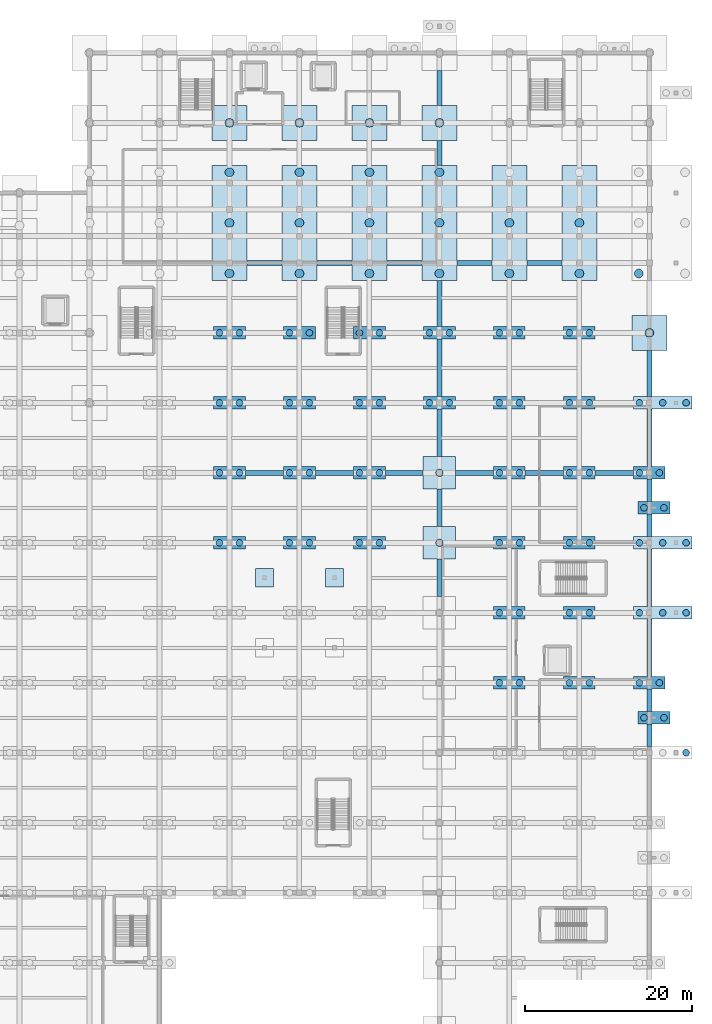
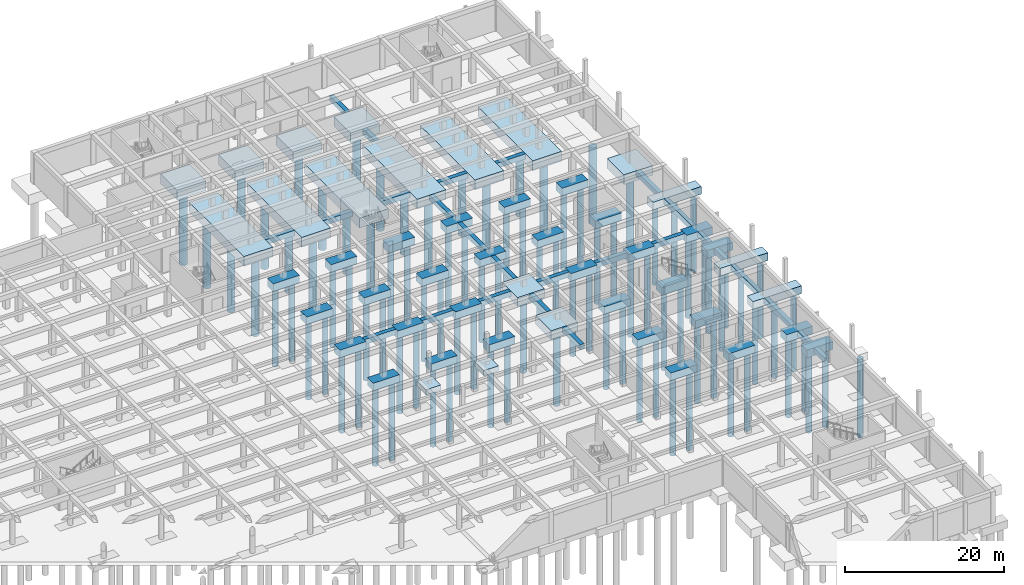
# One storey, part 6 of 51: 94 piles, 74 footings.
"""IFC4 building model written with IfcOpenShell, lengths in metres."""

from ifc_helpers import new_model, si_unit, direction, frame, origin, origin_2d, place, context, subcontext, project, spatial, rectangle, circle, extrude, material, material_profile, profile_set, type_object, element, save


model = new_model("IFC4")

# Units and contexts
model_context = context("Model", 3, precision=1e-05, world=origin(), true_north=direction((0.0, 1.0)))
body_context = subcontext(model_context, "Body", "Model", "MODEL_VIEW")
ifc_project = project(units=[si_unit("LENGTHUNIT", "METRE"), si_unit("AREAUNIT", "SQUARE_METRE"), si_unit("VOLUMEUNIT", "CUBIC_METRE"), si_unit("PLANEANGLEUNIT", "RADIAN"), si_unit("MASSUNIT", "GRAM", prefix="KILO")], contexts=[model_context])

# Site, building, storey
site_placement = place(None, origin())
site = spatial("IfcSite", under=ifc_project, at=site_placement, CompositionType="ELEMENT")
building_placement = place(site_placement, origin())
building = spatial("IfcBuilding", under=site, at=building_placement, Name="Varncliffe General Hospital", CompositionType="ELEMENT")
storey_placement = place(building_placement, frame((0.0, 0.0, -4.800048828125)))
storey = spatial("IfcBuildingStorey", under=building, at=storey_placement, Name="B1", CompositionType="ELEMENT", Elevation=-4.800048828125)

# Piles
ifc_material = material(Name="Concrete C40/50 (CSA A23.1 40 MPa)", Category="concrete")
ifc_material_profile_1 = material_profile(ifc_material, circle(Radius=0.39990234375, at=origin_2d()), Name="BORED PILE 800")
ifc_profile_set_1 = profile_set([ifc_material_profile_1], Name="Concrete C40/50 (CSA A23.1 40 MPa)")
pile_type_1 = type_object("IfcPileType", Name="Bored Caisson Pile P13 (BORED PILE 800)", PredefinedType="BORED", material=ifc_profile_set_1)
for number, where, z_axis, x_axis, name in (
    (1, (180.800048828125, 40.800048828125, -1.050048828125), (0.0, 0.0, -1.0), (1.0, 0.0, 0.0), "B1 Bored Pile P13 (PC-B1-130-3)"),
    (2, (175.75, 45.0, -1.050048828125), (0.0, 0.0, -1.0), (1.0, 0.0, 0.0), "B1 Bored Pile P13 (PC-B1-132-1)"),
    (3, (178.14990234375, 45.0, -1.050048828125), (0.0, 0.0, -1.0), (1.0, 0.0, 0.0), "B1 Bored Pile P13 (PC-B1-132-2)"),
    (4, (158.39990234375, 49.199951171875, -1.050048828125), (0.0, 0.0, -1.0), (1.0, 0.0, 0.0), "B1 Bored Pile P13 (PC-B1-152-1)"),
    (5, (160.800048828125, 49.199951171875, -1.050048828125), (0.0, 0.0, -1.0), (1.0, 0.0, 0.0), "B1 Bored Pile P13 (PC-B1-152-2)"),
    (6, (166.800048828125, 49.199951171875, -1.050048828125), (0.0, 0.0, -1.0), (1.0, 0.0, 0.0), "B1 Bored Pile P13 (PC-B1-153-1)"),
    (7, (169.199951171875, 49.199951171875, -1.050048828125), (0.0, 0.0, -1.0), (1.0, 0.0, 0.0), "B1 Bored Pile P13 (PC-B1-153-2)"),
    (8, (175.199951171875, 49.199951171875, -1.050048828125), (0.0, 0.0, -1.0), (1.0, 0.0, 0.0), "B1 Bored Pile P13 (PC-B1-154-1)"),
    (9, (177.60009765625, 49.199951171875, -1.050048828125), (0.0, 0.0, -1.0), (1.0, 0.0, 0.0), "B1 Bored Pile P13 (PC-B1-154-2)"),
    (10, (158.39990234375, 57.60009765625, -1.050048828125), (0.0, 0.0, -1.0), (1.0, 0.0, 0.0), "B1 Bored Pile P13 (PC-B1-174-1)"),
    (11, (160.800048828125, 57.60009765625, -1.050048828125), (0.0, 0.0, -1.0), (1.0, 0.0, 0.0), "B1 Bored Pile P13 (PC-B1-174-2)"),
    (12, (166.800048828125, 57.60009765625, -1.050048828125), (0.0, 0.0, -1.0), (1.0, 0.0, 0.0), "B1 Bored Pile P13 (PC-B1-175-1)"),
    (13, (169.199951171875, 57.60009765625, -1.050048828125), (0.0, 0.0, -1.0), (1.0, 0.0, 0.0), "B1 Bored Pile P13 (PC-B1-175-2)"),
    (14, (175.199951171875, 57.60009765625, -1.050048828125), (0.0, 0.0, -1.0), (1.0, 0.0, 0.0), "B1 Bored Pile P13 (PC-B1-176-1)"),
    (15, (178.0, 57.60009765625, -1.050048828125), (0.0, 0.0, -1.0), (1.0, 0.0, 0.0), "B1 Bored Pile P13 (PC-B1-176-2)"),
    (16, (180.800048828125, 57.60009765625, -1.050048828125), (0.0, 0.0, -1.0), (1.0, 0.0, 0.0), "B1 Bored Pile P13 (PC-B1-176-3)"),
    (17, (124.800048828125, 66.0, -1.050048828125), (0.0, 0.0, -1.0), (1.0, 0.0, 0.0), "B1 Bored Pile P13 (PC-B1-193-1)"),
    (18, (127.199951171875, 66.0, -1.050048828125), (0.0, 0.0, -1.0), (1.0, 0.0, 0.0), "B1 Bored Pile P13 (PC-B1-193-2)"),
    (19, (133.199951171875, 66.0, -1.050048828125), (0.0, 0.0, -1.0), (1.0, 0.0, 0.0), "B1 Bored Pile P13 (PC-B1-194-1)"),
    (20, (135.60009765625, 66.0, -1.050048828125), (0.0, 0.0, -1.0), (1.0, 0.0, 0.0), "B1 Bored Pile P13 (PC-B1-194-2)"),
    (21, (141.60009765625, 66.0, -1.050048828125), (0.0, 0.0, -1.0), (1.0, 0.0, 0.0), "B1 Bored Pile P13 (PC-B1-195-1)"),
    (22, (144.0, 66.0, -1.050048828125), (0.0, 0.0, -1.0), (1.0, 0.0, 0.0), "B1 Bored Pile P13 (PC-B1-195-2)"),
    (23, (158.39990234375, 66.0, -1.050048828125), (0.0, 0.0, -1.0), (1.0, 0.0, 0.0), "B1 Bored Pile P13 (PC-B1-196-1)"),
    (24, (160.800048828125, 66.0, -1.050048828125), (0.0, 0.0, -1.0), (1.0, 0.0, 0.0), "B1 Bored Pile P13 (PC-B1-196-2)"),
    (25, (166.800048828125, 66.0, -1.050048828125), (0.0, 0.0, -1.0), (1.0, 0.0, 0.0), "B1 Bored Pile P13 (PC-B1-197-1)"),
    (26, (169.199951171875, 66.0, -1.050048828125), (0.0, 0.0, -1.0), (1.0, 0.0, 0.0), "B1 Bored Pile P13 (PC-B1-197-2)"),
    (27, (175.199951171875, 66.0, -1.050048828125), (0.0, 0.0, -1.0), (1.0, 0.0, 0.0), "B1 Bored Pile P13 (PC-B1-198-1)"),
    (28, (178.0, 66.0, -1.050048828125), (0.0, 0.0, -1.0), (1.0, 0.0, 0.0), "B1 Bored Pile P13 (PC-B1-198-2)"),
    (29, (180.800048828125, 66.0, -1.050048828125), (0.0, 0.0, -1.0), (1.0, 0.0, 0.0), "B1 Bored Pile P13 (PC-B1-198-3)"),
    (30, (175.75, 70.199951171875, -1.050048828125), (0.0, 0.0, -1.0), (1.0, 0.0, 0.0), "B1 Bored Pile P13 (PC-B1-200-1)"),
    (31, (178.14990234375, 70.199951171875, -1.050048828125), (0.0, 0.0, -1.0), (1.0, 0.0, 0.0), "B1 Bored Pile P13 (PC-B1-200-2)"),
    (32, (124.800048828125, 74.39990234375, -1.050048828125), (0.0, 0.0, -1.0), (1.0, 0.0, 0.0), "B1 Bored Pile P13 (PC-B1-217-1)"),
    (33, (127.199951171875, 74.39990234375, -1.050048828125), (0.0, 0.0, -1.0), (1.0, 0.0, 0.0), "B1 Bored Pile P13 (PC-B1-217-2)"),
    (34, (133.199951171875, 74.39990234375, -1.050048828125), (0.0, 0.0, -1.0), (1.0, 0.0, 0.0), "B1 Bored Pile P13 (PC-B1-218-1)"),
    (35, (135.60009765625, 74.39990234375, -1.050048828125), (0.0, 0.0, -1.0), (1.0, 0.0, 0.0), "B1 Bored Pile P13 (PC-B1-218-2)"),
    (36, (141.60009765625, 74.39990234375, -1.050048828125), (0.0, 0.0, -1.0), (1.0, 0.0, 0.0), "B1 Bored Pile P13 (PC-B1-219-1)"),
    (37, (144.0, 74.39990234375, -1.050048828125), (0.0, 0.0, -1.0), (1.0, 0.0, 0.0), "B1 Bored Pile P13 (PC-B1-219-2)"),
    (38, (158.39990234375, 74.39990234375, -1.050048828125), (0.0, 0.0, -1.0), (1.0, 0.0, 0.0), "B1 Bored Pile P13 (PC-B1-220-1)"),
    (39, (160.800048828125, 74.39990234375, -1.050048828125), (0.0, 0.0, -1.0), (1.0, 0.0, 0.0), "B1 Bored Pile P13 (PC-B1-220-2)"),
    (40, (166.800048828125, 74.39990234375, -1.050048828125), (0.0, 0.0, -1.0), (1.0, 0.0, 0.0), "B1 Bored Pile P13 (PC-B1-221-1)"),
    (41, (169.199951171875, 74.39990234375, -1.050048828125), (0.0, 0.0, -1.0), (1.0, 0.0, 0.0), "B1 Bored Pile P13 (PC-B1-221-2)"),
    (42, (175.199951171875, 74.39990234375, -1.050048828125), (0.0, 0.0, -1.0), (1.0, 0.0, 0.0), "B1 Bored Pile P13 (PC-B1-222-1)"),
    (43, (177.60009765625, 74.39990234375, -1.050048828125), (0.0, 0.0, -1.0), (1.0, 0.0, 0.0), "B1 Bored Pile P13 (PC-B1-222-2)"),
    (44, (124.800048828125, 82.800048828125, -1.050048828125), (0.0, 0.0, -1.0), (1.0, 0.0, 0.0), "B1 Bored Pile P13 (PC-B1-238-1)"),
    (45, (127.199951171875, 82.800048828125, -1.050048828125), (0.0, 0.0, -1.0), (1.0, 0.0, 0.0), "B1 Bored Pile P13 (PC-B1-238-2)"),
    (46, (133.199951171875, 82.800048828125, -1.050048828125), (0.0, 0.0, -1.0), (1.0, 0.0, 0.0), "B1 Bored Pile P13 (PC-B1-239-1)"),
    (47, (135.60009765625, 82.800048828125, -1.050048828125), (0.0, 0.0, -1.0), (1.0, 0.0, 0.0), "B1 Bored Pile P13 (PC-B1-239-2)"),
    (48, (141.60009765625, 82.800048828125, -1.050048828125), (0.0, 0.0, -1.0), (1.0, 0.0, 0.0), "B1 Bored Pile P13 (PC-B1-240-1)"),
    (49, (144.0, 82.800048828125, -1.050048828125), (0.0, 0.0, -1.0), (1.0, 0.0, 0.0), "B1 Bored Pile P13 (PC-B1-240-2)"),
    (50, (150.0, 82.800048828125, -1.050048828125), (0.0, 0.0, -1.0), (1.0, 0.0, 0.0), "B1 Bored Pile P13 (PC-B1-241-1)"),
    (51, (152.39990234375, 82.800048828125, -1.050048828125), (0.0, 0.0, -1.0), (1.0, 0.0, 0.0), "B1 Bored Pile P13 (PC-B1-241-2)"),
    (52, (158.39990234375, 82.800048828125, -1.050048828125), (0.0, 0.0, -1.0), (1.0, 0.0, 0.0), "B1 Bored Pile P13 (PC-B1-242-1)"),
    (53, (160.800048828125, 82.800048828125, -1.050048828125), (0.0, 0.0, -1.0), (1.0, 0.0, 0.0), "B1 Bored Pile P13 (PC-B1-242-2)"),
    (54, (166.800048828125, 82.800048828125, -1.050048828125), (0.0, 0.0, -1.0), (1.0, 0.0, 0.0), "B1 Bored Pile P13 (PC-B1-243-1)"),
    (55, (169.199951171875, 82.800048828125, -1.050048828125), (0.0, 0.0, -1.0), (1.0, 0.0, 0.0), "B1 Bored Pile P13 (PC-B1-243-2)"),
    (56, (175.199951171875, 82.800048828125, -1.050048828125), (0.0, 0.0, -1.0), (1.0, 0.0, 0.0), "B1 Bored Pile P13 (PC-B1-244-1)"),
    (57, (178.0, 82.800048828125, -1.050048828125), (0.0, 0.0, -1.0), (1.0, 0.0, 0.0), "B1 Bored Pile P13 (PC-B1-244-2)"),
    (58, (180.800048828125, 82.800048828125, -1.050048828125), (0.0, 0.0, -1.0), (1.0, 0.0, 0.0), "B1 Bored Pile P13 (PC-B1-244-3)"),
    (59, (124.800048828125, 91.199951171875, -1.050048828125), (0.0, 0.0, -1.0), (1.0, 0.0, 0.0), "B1 Bored Pile P13 (PC-B1-261-1)"),
    (60, (127.199951171875, 91.199951171875, -1.050048828125), (0.0, 0.0, -1.0), (1.0, 0.0, 0.0), "B1 Bored Pile P13 (PC-B1-261-2)"),
    (61, (133.199951171875, 91.199951171875, -1.050048828125), (0.0, 0.0, -1.0), (1.0, 0.0, 0.0), "B1 Bored Pile P13 (PC-B1-262-1)"),
    (62, (135.60009765625, 91.199951171875, -1.050048828125), (0.0, 0.0, -1.0), (1.0, 0.0, 0.0), "B1 Bored Pile P13 (PC-B1-262-2)"),
    (63, (141.60009765625, 91.199951171875, -1.050048828125), (0.0, 0.0, -1.0), (1.0, 0.0, 0.0), "B1 Bored Pile P13 (PC-B1-263-1)"),
    (64, (144.0, 91.199951171875, -1.050048828125), (0.0, 0.0, -1.0), (1.0, 0.0, 0.0), "B1 Bored Pile P13 (PC-B1-263-2)"),
    (65, (150.0, 91.199951171875, -1.050048828125), (0.0, 0.0, -1.0), (1.0, 0.0, 0.0), "B1 Bored Pile P13 (PC-B1-264-1)"),
    (66, (152.39990234375, 91.199951171875, -1.050048828125), (0.0, 0.0, -1.0), (1.0, 0.0, 0.0), "B1 Bored Pile P13 (PC-B1-264-2)"),
    (67, (158.39990234375, 91.199951171875, -1.050048828125), (0.0, 0.0, -1.0), (1.0, 0.0, 0.0), "B1 Bored Pile P13 (PC-B1-265-1)"),
    (68, (160.800048828125, 91.199951171875, -1.050048828125), (0.0, 0.0, -1.0), (1.0, 0.0, 0.0), "B1 Bored Pile P13 (PC-B1-265-2)"),
    (69, (166.800048828125, 91.199951171875, -1.050048828125), (0.0, 0.0, -1.0), (1.0, 0.0, 0.0), "B1 Bored Pile P13 (PC-B1-266-1)"),
    (70, (169.199951171875, 91.199951171875, -1.050048828125), (0.0, 0.0, -1.0), (1.0, 0.0, 0.0), "B1 Bored Pile P13 (PC-B1-266-2)"),
):
    element("IfcPile", number, at=place(storey_placement, frame(where, z_axis=z_axis, x_axis=x_axis)), inside=storey, type_object=pile_type_1, Name=name, PredefinedType="BORED", context=body_context, shape_type="SweptSolid", body=[
        extrude(circle(Radius=0.39990234375, at=origin_2d()), origin(), (0.0, 0.0, 1.0), 12.14990234375),
    ])
ifc_material_profile_2 = material_profile(ifc_material, circle(Radius=0.449951171875, at=origin_2d()), Name="BORED PILE 900")
ifc_profile_set_2 = profile_set([ifc_material_profile_2], Name="Concrete C40/50 (CSA A23.1 40 MPa)")
pile_type_2 = type_object("IfcPileType", Name="Bored Caisson Pile P20 (BORED PILE 900)", PredefinedType="BORED", material=ifc_profile_set_2)
for number, where, z_axis, x_axis, name in (
    (71, (151.199951171875, 66.0, -1.199951171875), (0.0, 0.0, -1.0), (1.0, 0.0, 0.0), "B1 Bored Pile P20 (PC-B1-178-1)"),
    (72, (151.199951171875, 74.39990234375, -1.199951171875), (0.0, 0.0, -1.0), (1.0, 0.0, 0.0), "B1 Bored Pile P20 (PC-B1-202-1)"),
):
    element("IfcPile", number, at=place(storey_placement, frame(where, z_axis=z_axis, x_axis=x_axis)), inside=storey, type_object=pile_type_2, Name=name, PredefinedType="BORED", context=body_context, shape_type="SweptSolid", body=[
        extrude(circle(Radius=0.449951171875, at=origin_2d()), origin(), (0.0, 0.0, 1.0), 12.0),
    ])
ifc_material_profile_3 = material_profile(ifc_material, circle(Radius=0.52490234375, at=origin_2d()), Name="BORED PILE 1050")
ifc_profile_set_3 = profile_set([ifc_material_profile_3], Name="Concrete C40/50 (CSA A23.1 40 MPa)")
pile_type_3 = type_object("IfcPileType", Name="Bored Caisson Pile P22 (BORED PILE 1050)", PredefinedType="BORED", material=ifc_profile_set_3)
for number, where, z_axis, x_axis, name in (
    (73, (176.39990234375, 91.199951171875, -1.349853515625), (0.0, 0.0, -1.0), (1.0, 0.0, 0.0), "B1 Bored Pile P22 (PC-B1-248-1)"),
    (74, (126.0, 98.324951171875, -1.349853515625), (0.0, 0.0, -1.0), (1.0, 0.0, 0.0), "B1 Bored Pile P22 (PC-B1-277-1)"),
    (75, (126.0, 104.39990234375, -1.349853515625), (0.0, 0.0, -1.0), (1.0, 0.0, 0.0), "B1 Bored Pile P22 (PC-B1-277-2)"),
    (76, (126.0, 110.47509765625, -1.349853515625), (0.0, 0.0, -1.0), (1.0, 0.0, 0.0), "B1 Bored Pile P22 (PC-B1-277-3)"),
    (77, (134.39990234375, 98.324951171875, -1.349853515625), (0.0, 0.0, -1.0), (1.0, 0.0, 0.0), "B1 Bored Pile P22 (PC-B1-278-1)"),
    (78, (134.39990234375, 104.39990234375, -1.349853515625), (0.0, 0.0, -1.0), (1.0, 0.0, 0.0), "B1 Bored Pile P22 (PC-B1-278-2)"),
    (79, (134.39990234375, 110.47509765625, -1.349853515625), (0.0, 0.0, -1.0), (1.0, 0.0, 0.0), "B1 Bored Pile P22 (PC-B1-278-3)"),
    (80, (142.800048828125, 98.324951171875, -1.349853515625), (0.0, 0.0, -1.0), (1.0, 0.0, 0.0), "B1 Bored Pile P22 (PC-B1-279-1)"),
    (81, (142.800048828125, 104.39990234375, -1.349853515625), (0.0, 0.0, -1.0), (1.0, 0.0, 0.0), "B1 Bored Pile P22 (PC-B1-279-2)"),
    (82, (142.800048828125, 110.47509765625, -1.349853515625), (0.0, 0.0, -1.0), (1.0, 0.0, 0.0), "B1 Bored Pile P22 (PC-B1-279-3)"),
    (83, (151.199951171875, 98.324951171875, -1.349853515625), (0.0, 0.0, -1.0), (1.0, 0.0, 0.0), "B1 Bored Pile P22 (PC-B1-280-1)"),
    (84, (151.199951171875, 104.39990234375, -1.349853515625), (0.0, 0.0, -1.0), (1.0, 0.0, 0.0), "B1 Bored Pile P22 (PC-B1-280-2)"),
    (85, (151.199951171875, 110.47509765625, -1.349853515625), (0.0, 0.0, -1.0), (1.0, 0.0, 0.0), "B1 Bored Pile P22 (PC-B1-280-3)"),
    (86, (159.60009765625, 98.324951171875, -1.349853515625), (0.0, 0.0, -1.0), (1.0, 0.0, 0.0), "B1 Bored Pile P22 (PC-B1-281-1)"),
    (87, (159.60009765625, 104.39990234375, -1.349853515625), (0.0, 0.0, -1.0), (1.0, 0.0, 0.0), "B1 Bored Pile P22 (PC-B1-281-2)"),
    (88, (168.0, 98.324951171875, -1.349853515625), (0.0, 0.0, -1.0), (1.0, 0.0, 0.0), "B1 Bored Pile P22 (PC-B1-282-1)"),
    (89, (168.0, 104.39990234375, -1.349853515625), (0.0, 0.0, -1.0), (1.0, 0.0, 0.0), "B1 Bored Pile P22 (PC-B1-282-2)"),
    (90, (175.125, 98.324951171875, -1.349853515625), (0.0, 0.0, -1.0), (1.0, 0.0, 0.0), "B1 Bored Pile P22 (PC-B1-283-1)"),
    (91, (126.0, 116.39990234375, -1.349853515625), (0.0, 0.0, -1.0), (1.0, 0.0, 0.0), "B1 Bored Pile P22 (PC-B1-308-1)"),
    (92, (134.39990234375, 116.39990234375, -1.349853515625), (0.0, 0.0, -1.0), (1.0, 0.0, 0.0), "B1 Bored Pile P22 (PC-B1-309-1)"),
    (93, (142.800048828125, 116.39990234375, -1.349853515625), (0.0, 0.0, -1.0), (1.0, 0.0, 0.0), "B1 Bored Pile P22 (PC-B1-310-1)"),
    (94, (151.199951171875, 116.39990234375, -1.349853515625), (0.0, 0.0, -1.0), (1.0, 0.0, 0.0), "B1 Bored Pile P22 (PC-B1-311-1)"),
):
    element("IfcPile", number, at=place(storey_placement, frame(where, z_axis=z_axis, x_axis=x_axis)), inside=storey, type_object=pile_type_3, Name=name, PredefinedType="BORED", context=body_context, shape_type="SweptSolid", body=[
        extrude(circle(Radius=0.52490234375, at=origin_2d()), origin(), (0.0, 0.0, 1.0), 11.85009765625),
    ])

# Footings
footing_type_1 = type_object("IfcFootingType", Name="Pile Cap PC17 (3800x1500x1200)", PredefinedType="PILE_CAP", material=ifc_material)
for number, where, z_axis, x_axis, name in (
    (95, (176.949951171875, 45.0, -1.19970703125), (0.0, 0.0, 1.0), (1.0, 0.0, 0.0), "B1 Pile Cap PC17 #132"),
    (96, (159.60009765625, 49.199951171875, -1.19970703125), (0.0, 0.0, 1.0), (1.0, 0.0, 0.0), "B1 Pile Cap PC17 #152"),
    (97, (168.0, 49.199951171875, -1.19970703125), (0.0, 0.0, 1.0), (1.0, 0.0, 0.0), "B1 Pile Cap PC17 #153"),
    (98, (176.39990234375, 49.199951171875, -1.19970703125), (0.0, 0.0, 1.0), (1.0, 0.0, 0.0), "B1 Pile Cap PC17 #154"),
    (99, (159.60009765625, 57.60009765625, -1.19970703125), (0.0, 0.0, 1.0), (1.0, 0.0, 0.0), "B1 Pile Cap PC17 #174"),
    (100, (168.0, 57.60009765625, -1.19970703125), (0.0, 0.0, 1.0), (1.0, 0.0, 0.0), "B1 Pile Cap PC17 #175"),
    (101, (126.0, 66.0, -1.19970703125), (0.0, 0.0, 1.0), (1.0, 0.0, 0.0), "B1 Pile Cap PC17 #193"),
    (102, (134.39990234375, 66.0, -1.19970703125), (0.0, 0.0, 1.0), (1.0, 0.0, 0.0), "B1 Pile Cap PC17 #194"),
    (103, (142.800048828125, 66.0, -1.19970703125), (0.0, 0.0, 1.0), (1.0, 0.0, 0.0), "B1 Pile Cap PC17 #195"),
    (104, (159.60009765625, 66.0, -1.19970703125), (0.0, 0.0, 1.0), (1.0, 0.0, 0.0), "B1 Pile Cap PC17 #196"),
    (105, (168.0, 66.0, -1.19970703125), (0.0, 0.0, 1.0), (1.0, 0.0, 0.0), "B1 Pile Cap PC17 #197"),
    (106, (176.949951171875, 70.199951171875, -1.19970703125), (0.0, 0.0, 1.0), (1.0, 0.0, 0.0), "B1 Pile Cap PC17 #200"),
    (107, (126.0, 74.39990234375, -1.19970703125), (0.0, 0.0, 1.0), (1.0, 0.0, 0.0), "B1 Pile Cap PC17 #217"),
    (108, (134.39990234375, 74.39990234375, -1.19970703125), (0.0, 0.0, 1.0), (1.0, 0.0, 0.0), "B1 Pile Cap PC17 #218"),
    (109, (142.800048828125, 74.39990234375, -1.19970703125), (0.0, 0.0, 1.0), (1.0, 0.0, 0.0), "B1 Pile Cap PC17 #219"),
    (110, (159.60009765625, 74.39990234375, -1.19970703125), (0.0, 0.0, 1.0), (1.0, 0.0, 0.0), "B1 Pile Cap PC17 #220"),
    (111, (168.0, 74.39990234375, -1.19970703125), (0.0, 0.0, 1.0), (1.0, 0.0, 0.0), "B1 Pile Cap PC17 #221"),
    (112, (176.39990234375, 74.39990234375, -1.19970703125), (0.0, 0.0, 1.0), (1.0, 0.0, 0.0), "B1 Pile Cap PC17 #222"),
    (113, (126.0, 82.800048828125, -1.19970703125), (0.0, 0.0, 1.0), (1.0, 0.0, 0.0), "B1 Pile Cap PC17 #238"),
    (114, (134.39990234375, 82.800048828125, -1.19970703125), (0.0, 0.0, 1.0), (1.0, 0.0, 0.0), "B1 Pile Cap PC17 #239"),
    (115, (142.800048828125, 82.800048828125, -1.19970703125), (0.0, 0.0, 1.0), (1.0, 0.0, 0.0), "B1 Pile Cap PC17 #240"),
    (116, (151.199951171875, 82.800048828125, -1.19970703125), (0.0, 0.0, 1.0), (1.0, 0.0, 0.0), "B1 Pile Cap PC17 #241"),
    (117, (159.60009765625, 82.800048828125, -1.19970703125), (0.0, 0.0, 1.0), (1.0, 0.0, 0.0), "B1 Pile Cap PC17 #242"),
    (118, (168.0, 82.800048828125, -1.19970703125), (0.0, 0.0, 1.0), (1.0, 0.0, 0.0), "B1 Pile Cap PC17 #243"),
    (119, (126.0, 91.199951171875, -1.19970703125), (0.0, 0.0, 1.0), (1.0, 0.0, 0.0), "B1 Pile Cap PC17 #261"),
    (120, (134.39990234375, 91.199951171875, -1.19970703125), (0.0, 0.0, 1.0), (1.0, 0.0, 0.0), "B1 Pile Cap PC17 #262"),
    (121, (142.800048828125, 91.199951171875, -1.19970703125), (0.0, 0.0, 1.0), (1.0, 0.0, 0.0), "B1 Pile Cap PC17 #263"),
    (122, (151.199951171875, 91.199951171875, -1.19970703125), (0.0, 0.0, 1.0), (1.0, 0.0, 0.0), "B1 Pile Cap PC17 #264"),
    (123, (159.60009765625, 91.199951171875, -1.19970703125), (0.0, 0.0, 1.0), (1.0, 0.0, 0.0), "B1 Pile Cap PC17 #265"),
    (124, (168.0, 91.199951171875, -1.19970703125), (0.0, 0.0, 1.0), (1.0, 0.0, 0.0), "B1 Pile Cap PC17 #266"),
):
    element("IfcFooting", number, at=place(storey_placement, frame(where, z_axis=z_axis, x_axis=x_axis)), inside=storey, type_object=footing_type_1, Name=name, PredefinedType="PILE_CAP", context=body_context, shape_type="SweptSolid", body=[
        extrude(rectangle(XDim=3.800048828125, YDim=1.5, at=origin_2d()), origin(), (0.0, 0.0, 1.0), 1.199951171875),
    ])
footing_type_2 = type_object("IfcFootingType", Name="Pile Cap PC24 (13800x4200x1500)", PredefinedType="PILE_CAP", material=ifc_material)
for number, where, z_axis, x_axis, name in (
    (125, (126.0, 104.39990234375, -1.5), (0.0, 0.0, 1.0), (1.0, 0.0, 0.0), "B1 Pile Cap PC24 #277"),
    (126, (134.39990234375, 104.39990234375, -1.5), (0.0, 0.0, 1.0), (1.0, 0.0, 0.0), "B1 Pile Cap PC24 #278"),
    (127, (142.800048828125, 104.39990234375, -1.5), (0.0, 0.0, 1.0), (1.0, 0.0, 0.0), "B1 Pile Cap PC24 #279"),
    (128, (151.199951171875, 104.39990234375, -1.5), (0.0, 0.0, 1.0), (1.0, 0.0, 0.0), "B1 Pile Cap PC24 #280"),
    (129, (159.60009765625, 104.39990234375, -1.5), (0.0, 0.0, 1.0), (1.0, 0.0, 0.0), "B1 Pile Cap PC24 #281"),
    (130, (168.0, 104.39990234375, -1.5), (0.0, 0.0, 1.0), (1.0, 0.0, 0.0), "B1 Pile Cap PC24 #282"),
):
    element("IfcFooting", number, at=place(storey_placement, frame(where, z_axis=z_axis, x_axis=x_axis)), inside=storey, type_object=footing_type_2, Name=name, PredefinedType="PILE_CAP", context=body_context, shape_type="SweptSolid", body=[
        extrude(rectangle(XDim=4.199951171875, YDim=13.800048828125, at=origin_2d()), origin(), (0.0, 0.0, 1.0), 1.5),
    ])
footing_type_3 = type_object("IfcFootingType", Name="Pile Cap PC59 (3900x3900x1350)", PredefinedType="PILE_CAP", material=ifc_material)
for number, where, z_axis, x_axis, name in (
    (131, (151.199951171875, 66.0, -1.35009765625), (0.0, 0.0, 1.0), (1.0, 0.0, 0.0), "B1 Pile Cap PC59 #178"),
    (132, (151.199951171875, 74.39990234375, -1.35009765625), (0.0, 0.0, 1.0), (1.0, 0.0, 0.0), "B1 Pile Cap PC59 #202"),
):
    element("IfcFooting", number, at=place(storey_placement, frame(where, z_axis=z_axis, x_axis=x_axis)), inside=storey, type_object=footing_type_3, Name=name, PredefinedType="PILE_CAP", context=body_context, shape_type="SweptSolid", body=[
        extrude(rectangle(XDim=3.89990234375, YDim=3.89990234375, at=origin_2d()), origin(), (0.0, 0.0, 1.0), 1.35009765625),
    ])
footing_type_4 = type_object("IfcFootingType", Name="Pile Cap PC66 (7000x1500x1200)", PredefinedType="PILE_CAP", material=ifc_material)
for number, where, z_axis, x_axis, name in (
    (133, (178.0, 57.60009765625, -1.19970703125), (0.0, 0.0, 1.0), (1.0, 0.0, 0.0), "B1 Pile Cap PC66 #176"),
    (134, (178.0, 66.0, -1.19970703125), (0.0, 0.0, 1.0), (1.0, 0.0, 0.0), "B1 Pile Cap PC66 #198"),
    (135, (178.0, 82.800048828125, -1.19970703125), (0.0, 0.0, 1.0), (1.0, 0.0, 0.0), "B1 Pile Cap PC66 #244"),
):
    element("IfcFooting", number, at=place(storey_placement, frame(where, z_axis=z_axis, x_axis=x_axis)), inside=storey, type_object=footing_type_4, Name=name, PredefinedType="PILE_CAP", context=body_context, shape_type="SweptSolid", body=[
        extrude(rectangle(XDim=7.0, YDim=1.5, at=origin_2d()), origin(), (0.0, 0.0, 1.0), 1.199951171875),
    ])
footing_type_5 = type_object("IfcFootingType", Name="Pile Cap PC67 (4200x4200x1500)", PredefinedType="PILE_CAP", material=ifc_material)
for number, where, z_axis, x_axis, name in (
    (136, (176.39990234375, 91.199951171875, -1.5), (0.0, 0.0, 1.0), (1.0, 0.0, 0.0), "B1 Pile Cap PC67 #248"),
    (137, (126.0, 116.39990234375, -1.5), (0.0, 0.0, 1.0), (1.0, 0.0, 0.0), "B1 Pile Cap PC67 #308"),
    (138, (134.39990234375, 116.39990234375, -1.5), (0.0, 0.0, 1.0), (1.0, 0.0, 0.0), "B1 Pile Cap PC67 #309"),
    (139, (142.800048828125, 116.39990234375, -1.5), (0.0, 0.0, 1.0), (1.0, 0.0, 0.0), "B1 Pile Cap PC67 #310"),
    (140, (151.199951171875, 116.39990234375, -1.5), (0.0, 0.0, 1.0), (1.0, 0.0, 0.0), "B1 Pile Cap PC67 #311"),
):
    element("IfcFooting", number, at=place(storey_placement, frame(where, z_axis=z_axis, x_axis=x_axis)), inside=storey, type_object=footing_type_5, Name=name, PredefinedType="PILE_CAP", context=body_context, shape_type="SweptSolid", body=[
        extrude(rectangle(XDim=4.199951171875, YDim=4.199951171875, at=origin_2d()), origin(), (0.0, 0.0, 1.0), 1.5),
    ])
footing_type_6 = type_object("IfcFootingType", Name="Seismic Grade Tie Beam FB69 (600x800)", PredefinedType="FOOTING_BEAM", material=ifc_material)
for number, where, z_axis, x_axis, name in (
    (141, (130.199951171875, 74.39990234375, -0.7998046875), (0.0, 0.0, 1.0), (1.0, 0.0, 0.0), "B1 Seismic Footing Tie Beam FB69-67"),
    (142, (138.60009765625, 74.39990234375, -0.7998046875), (0.0, 0.0, 1.0), (1.0, 0.0, 0.0), "B1 Seismic Footing Tie Beam FB69-68"),
):
    element("IfcFooting", number, at=place(storey_placement, frame(where, z_axis=z_axis, x_axis=x_axis)), inside=storey, type_object=footing_type_6, Name=name, PredefinedType="FOOTING_BEAM", context=body_context, shape_type="SweptSolid", body=[
        extrude(rectangle(XDim=4.60009765625, YDim=0.60009765625, at=origin_2d()), origin(), (0.0, 0.0, 1.0), 0.800048828125),
    ])
for number, where, z_axis, x_axis, name in (
    (143, (146.97509765625, 74.39990234375, -0.7998046875), (0.0, 0.0, 1.0), (1.0, 0.0, 0.0), "B1 Seismic Footing Tie Beam FB69-69"),
    (144, (155.425048828125, 74.39990234375, -0.7998046875), (0.0, 0.0, 1.0), (1.0, 0.0, 0.0), "B1 Seismic Footing Tie Beam FB69-70"),
):
    element("IfcFooting", number, at=place(storey_placement, frame(where, z_axis=z_axis, x_axis=x_axis)), inside=storey, type_object=footing_type_6, Name=name, PredefinedType="FOOTING_BEAM", context=body_context, shape_type="SweptSolid", body=[
        extrude(rectangle(XDim=4.550048828125, YDim=0.60009765625, at=origin_2d()), origin(), (0.0, 0.0, 1.0), 0.800048828125),
    ])
for number, where, z_axis, x_axis, name in (
    (145, (163.800048828125, 74.39990234375, -0.7998046875), (0.0, 0.0, 1.0), (1.0, 0.0, 0.0), "B1 Seismic Footing Tie Beam FB69-71"),
    (146, (172.199951171875, 74.39990234375, -0.7998046875), (0.0, 0.0, 1.0), (1.0, 0.0, 0.0), "B1 Seismic Footing Tie Beam FB69-72"),
):
    element("IfcFooting", number, at=place(storey_placement, frame(where, z_axis=z_axis, x_axis=x_axis)), inside=storey, type_object=footing_type_6, Name=name, PredefinedType="FOOTING_BEAM", context=body_context, shape_type="SweptSolid", body=[
        extrude(rectangle(XDim=4.60009765625, YDim=0.60009765625, at=origin_2d()), origin(), (0.0, 0.0, 1.0), 0.800048828125),
    ])
for number, where, z_axis, x_axis, name in (
    (147, (130.199951171875, 99.60009765625, -0.7998046875), (0.0, 0.0, 1.0), (1.0, 0.0, 0.0), "B1 Seismic Footing Tie Beam FB69-88"),
    (148, (138.60009765625, 99.60009765625, -0.7998046875), (0.0, 0.0, 1.0), (1.0, 0.0, 0.0), "B1 Seismic Footing Tie Beam FB69-89"),
    (149, (147.0, 99.60009765625, -0.7998046875), (0.0, 0.0, 1.0), (1.0, 0.0, 0.0), "B1 Seismic Footing Tie Beam FB69-90"),
    (150, (155.39990234375, 99.60009765625, -0.7998046875), (0.0, 0.0, 1.0), (1.0, 0.0, 0.0), "B1 Seismic Footing Tie Beam FB69-91"),
    (151, (163.800048828125, 99.60009765625, -0.7998046875), (0.0, 0.0, 1.0), (1.0, 0.0, 0.0), "B1 Seismic Footing Tie Beam FB69-92"),
):
    element("IfcFooting", number, at=place(storey_placement, frame(where, z_axis=z_axis, x_axis=x_axis)), inside=storey, type_object=footing_type_6, Name=name, PredefinedType="FOOTING_BEAM", context=body_context, shape_type="SweptSolid", body=[
        extrude(rectangle(XDim=4.199951171875, YDim=0.60009765625, at=origin_2d()), origin(), (0.0, 0.0, 1.0), 0.800048828125),
    ])
for number, where, z_axis, x_axis, name in (
    (152, (151.199951171875, 61.800048828125, -0.7998046875), (0.0, 0.0, 1.0), (1.0, 0.0, 0.0), "B1 Seismic Footing Tie Beam FB69-169"),
    (153, (151.199951171875, 70.199951171875, -0.7998046875), (0.0, 0.0, 1.0), (1.0, 0.0, 0.0), "B1 Seismic Footing Tie Beam FB69-170"),
):
    element("IfcFooting", number, at=place(storey_placement, frame(where, z_axis=z_axis, x_axis=x_axis)), inside=storey, type_object=footing_type_6, Name=name, PredefinedType="FOOTING_BEAM", context=body_context, shape_type="SweptSolid", body=[
        extrude(rectangle(XDim=0.60009765625, YDim=4.5, at=origin_2d()), origin(), (0.0, 0.0, 1.0), 0.800048828125),
    ])
footing_1_placement = place(storey_placement, frame((151.199951171875, 79.199951171875, -0.7998046875), z_axis=(0.0, 0.0, 1.0), x_axis=(1.0, 0.0, 0.0)))
element("IfcFooting", 154, at=footing_1_placement, inside=storey, type_object=footing_type_6, Name="B1 Seismic Footing Tie Beam FB69-171", PredefinedType="FOOTING_BEAM", context=body_context, shape_type="SweptSolid", body=[
    extrude(rectangle(XDim=0.60009765625, YDim=5.699951171875, at=origin_2d()), origin(), (0.0, 0.0, 1.0), 0.800048828125),
])
footing_2_placement = place(storey_placement, frame((151.199951171875, 87.0, -0.7998046875), z_axis=(0.0, 0.0, 1.0), x_axis=(1.0, 0.0, 0.0)))
element("IfcFooting", 155, at=footing_2_placement, inside=storey, type_object=footing_type_6, Name="B1 Seismic Footing Tie Beam FB69-172", PredefinedType="FOOTING_BEAM", context=body_context, shape_type="SweptSolid", body=[
    extrude(rectangle(XDim=0.60009765625, YDim=6.89990234375, at=origin_2d()), origin(), (0.0, 0.0, 1.0), 0.800048828125),
])
footing_3_placement = place(storey_placement, frame((151.199951171875, 94.72509765625, -0.7998046875), z_axis=(0.0, 0.0, 1.0), x_axis=(1.0, 0.0, 0.0)))
element("IfcFooting", 156, at=footing_3_placement, inside=storey, type_object=footing_type_6, Name="B1 Seismic Footing Tie Beam FB69-173", PredefinedType="FOOTING_BEAM", context=body_context, shape_type="SweptSolid", body=[
    extrude(rectangle(XDim=0.60009765625, YDim=5.550048828125, at=origin_2d()), origin(), (0.0, 0.0, 1.0), 0.800048828125),
])
footing_4_placement = place(storey_placement, frame((151.199951171875, 112.800048828125, -0.7998046875), z_axis=(0.0, 0.0, 1.0), x_axis=(1.0, 0.0, 0.0)))
element("IfcFooting", 157, at=footing_4_placement, inside=storey, type_object=footing_type_6, Name="B1 Seismic Footing Tie Beam FB69-174", PredefinedType="FOOTING_BEAM", context=body_context, shape_type="SweptSolid", body=[
    extrude(rectangle(XDim=0.60009765625, YDim=3.0, at=origin_2d()), origin(), (0.0, 0.0, 1.0), 0.800048828125),
])
footing_5_placement = place(storey_placement, frame((151.199951171875, 120.60009765625, -0.7998046875), z_axis=(0.0, 0.0, 1.0), x_axis=(1.0, 0.0, 0.0)))
element("IfcFooting", 158, at=footing_5_placement, inside=storey, type_object=footing_type_6, Name="B1 Seismic Footing Tie Beam FB69-175", PredefinedType="FOOTING_BEAM", context=body_context, shape_type="SweptSolid", body=[
    extrude(rectangle(XDim=0.60009765625, YDim=4.199951171875, at=origin_2d()), origin(), (0.0, 0.0, 1.0), 0.800048828125),
])
for number, where, z_axis, x_axis, name in (
    (159, (176.39990234375, 42.89990234375, -0.7998046875), (0.0, 0.0, 1.0), (1.0, 0.0, 0.0), "B1 Seismic Footing Tie Beam FB69-183"),
    (160, (176.39990234375, 47.10009765625, -0.7998046875), (0.0, 0.0, 1.0), (1.0, 0.0, 0.0), "B1 Seismic Footing Tie Beam FB69-184"),
):
    element("IfcFooting", number, at=place(storey_placement, frame(where, z_axis=z_axis, x_axis=x_axis)), inside=storey, type_object=footing_type_6, Name=name, PredefinedType="FOOTING_BEAM", context=body_context, shape_type="SweptSolid", body=[
        extrude(rectangle(XDim=0.60009765625, YDim=2.699951171875, at=origin_2d()), origin(), (0.0, 0.0, 1.0), 0.800048828125),
    ])
for number, where, z_axis, x_axis, name in (
    (161, (176.39990234375, 53.39990234375, -0.7998046875), (0.0, 0.0, 1.0), (1.0, 0.0, 0.0), "B1 Seismic Footing Tie Beam FB69-185"),
    (162, (176.39990234375, 61.800048828125, -0.7998046875), (0.0, 0.0, 1.0), (1.0, 0.0, 0.0), "B1 Seismic Footing Tie Beam FB69-186"),
):
    element("IfcFooting", number, at=place(storey_placement, frame(where, z_axis=z_axis, x_axis=x_axis)), inside=storey, type_object=footing_type_6, Name=name, PredefinedType="FOOTING_BEAM", context=body_context, shape_type="SweptSolid", body=[
        extrude(rectangle(XDim=0.60009765625, YDim=6.89990234375, at=origin_2d()), origin(), (0.0, 0.0, 1.0), 0.800048828125),
    ])
for number, where, z_axis, x_axis, name in (
    (163, (176.39990234375, 68.10009765625, -0.7998046875), (0.0, 0.0, 1.0), (1.0, 0.0, 0.0), "B1 Seismic Footing Tie Beam FB69-187"),
    (164, (176.39990234375, 72.300048828125, -0.7998046875), (0.0, 0.0, 1.0), (1.0, 0.0, 0.0), "B1 Seismic Footing Tie Beam FB69-188"),
):
    element("IfcFooting", number, at=place(storey_placement, frame(where, z_axis=z_axis, x_axis=x_axis)), inside=storey, type_object=footing_type_6, Name=name, PredefinedType="FOOTING_BEAM", context=body_context, shape_type="SweptSolid", body=[
        extrude(rectangle(XDim=0.60009765625, YDim=2.699951171875, at=origin_2d()), origin(), (0.0, 0.0, 1.0), 0.800048828125),
    ])
footing_6_placement = place(storey_placement, frame((176.39990234375, 78.60009765625, -0.7998046875), z_axis=(0.0, 0.0, 1.0), x_axis=(1.0, 0.0, 0.0)))
element("IfcFooting", 165, at=footing_6_placement, inside=storey, type_object=footing_type_6, Name="B1 Seismic Footing Tie Beam FB69-189", PredefinedType="FOOTING_BEAM", context=body_context, shape_type="SweptSolid", body=[
    extrude(rectangle(XDim=0.60009765625, YDim=6.89990234375, at=origin_2d()), origin(), (0.0, 0.0, 1.0), 0.800048828125),
])
footing_7_placement = place(storey_placement, frame((176.39990234375, 86.324951171875, -0.7998046875), z_axis=(0.0, 0.0, 1.0), x_axis=(1.0, 0.0, 0.0)))
element("IfcFooting", 166, at=footing_7_placement, inside=storey, type_object=footing_type_6, Name="B1 Seismic Footing Tie Beam FB69-190", PredefinedType="FOOTING_BEAM", context=body_context, shape_type="SweptSolid", body=[
    extrude(rectangle(XDim=0.60009765625, YDim=5.550048828125, at=origin_2d()), origin(), (0.0, 0.0, 1.0), 0.800048828125),
])
footing_type_7 = type_object("IfcFootingType", Name="Spread Pad Footing PF84 (2200x2200x800)", PredefinedType="PAD_FOOTING", material=ifc_material)
for number, where, z_axis, x_axis, name in (
    (167, (130.199951171875, 61.800048828125, -0.7998046875), (0.0, 0.0, 1.0), (1.0, 0.0, 0.0), "B1 Courtyard Colonnade Pad Footing PF84-7"),
    (168, (138.60009765625, 61.800048828125, -0.7998046875), (0.0, 0.0, 1.0), (1.0, 0.0, 0.0), "B1 Courtyard Colonnade Pad Footing PF84-8"),
):
    element("IfcFooting", number, at=place(storey_placement, frame(where, z_axis=z_axis, x_axis=x_axis)), inside=storey, type_object=footing_type_7, Name=name, PredefinedType="PAD_FOOTING", context=body_context, shape_type="SweptSolid", body=[
        extrude(rectangle(XDim=2.199951171875, YDim=2.199951171875, at=origin_2d()), origin(), (0.0, 0.0, 1.0), 0.800048828125),
    ])

save(model, "model.ifc")
